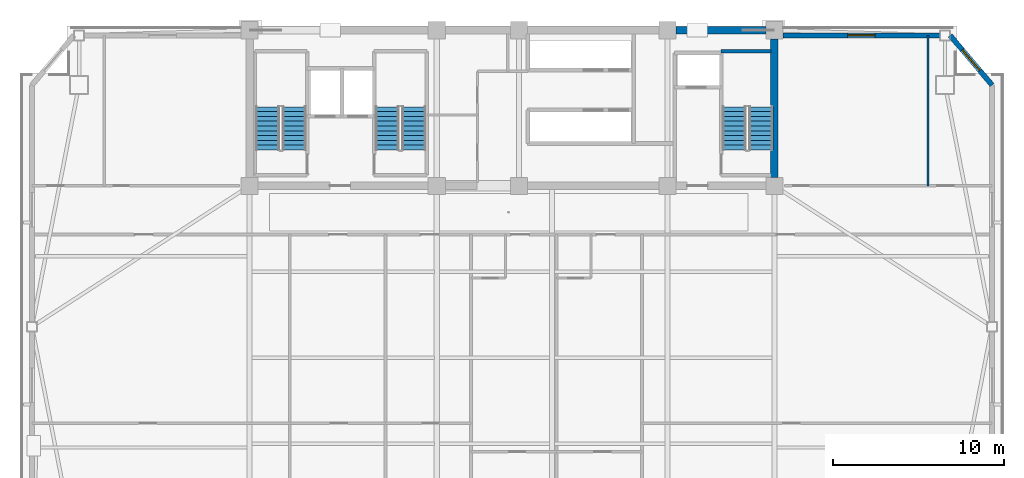
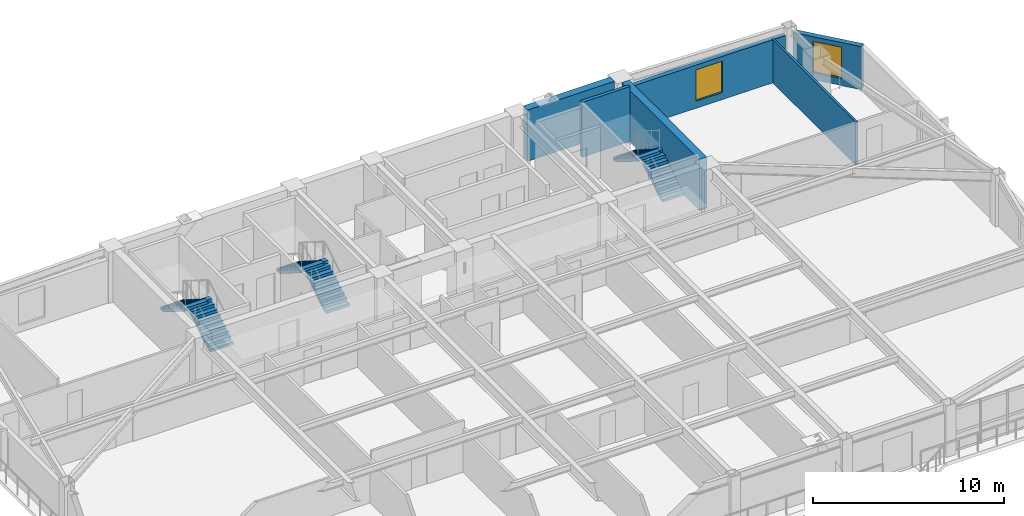
# One storey, part 11 of 17: 6 stair flights, 6 walls, 2 windows, 2 openings, 3 elements without a shape of their own.
"""IFC4 building model written with IfcOpenShell, lengths in metres."""

from ifc_helpers import new_model, si_unit, direction, frame, frame_2d, origin, place, context, subcontext, project, spatial, polyline, rectangle, outline, extrude, source, transform, mapped, material, layer, layer_set, type_object, element, fill, aggregate, save


model = new_model("IFC4")

# Units and contexts
model_context = context("Model", 3, precision=1e-05, world=origin(), true_north=direction((0.0, 1.0)))
body_context = subcontext(model_context, "Body", "Model", "MODEL_VIEW")
ifc_project = project(units=[si_unit("LENGTHUNIT", "METRE"), si_unit("AREAUNIT", "SQUARE_METRE"), si_unit("VOLUMEUNIT", "CUBIC_METRE"), si_unit("PLANEANGLEUNIT", "RADIAN"), si_unit("MASSUNIT", "GRAM", prefix="KILO")], contexts=[model_context])

# Site, building, storey
site_placement = place(None, origin())
site = spatial("IfcSite", under=ifc_project, at=site_placement, CompositionType="ELEMENT")
building_placement = place(site_placement, origin())
building = spatial("IfcBuilding", under=site, at=building_placement, Name="Giltprow Tower", CompositionType="ELEMENT")
storey_placement = place(building_placement, frame((0.0, 0.0, 213.199951171875)))
storey = spatial("IfcBuildingStorey", under=building, at=storey_placement, Name="L54", CompositionType="ELEMENT", Elevation=213.199951171875)

# Wall, opening, window
ifc_material_1 = material(Name="Precast concrete C40", Category="concrete")
ifc_layer_1 = layer(ifc_material_1, 0.300048828125, Name="Precast concrete C40")
ifc_layer_set_1 = layer_set([ifc_layer_1], Name="Precast concrete C40")
wall_type_1 = type_object("IfcWallType", Name="EW-NOTCH-CHAMFER-300", PredefinedType="SOLIDWALL", material=ifc_layer_set_1)
wall_1_placement = place(storey_placement, frame((63.281982421875, 43.345947265625, 0.0), z_axis=(0.0, 0.0, 1.0), x_axis=(-0.645455651603, 0.763797749286, 0.0)))
wall_1 = element("IfcWall", 1, at=wall_1_placement, inside=storey, type_object=wall_type_1, Name="L54 Corner Notch Wall NE", PredefinedType="SOLIDWALL", context=body_context, shape_type="SweptSolid", body=[
    extrude(rectangle(XDim=3.802001953125, YDim=0.300048828125, at=frame_2d((1.90087890625, 0.0))), origin(), (0.0, 0.0, 1.0), 2.75),
])
opening_1_placement = place(wall_1_placement, frame((1.10107421875, 0.0, 0.449951171875)))
opening_1 = element("IfcOpeningElement", 2, at=opening_1_placement, cuts=wall_1, Name="Opening WN17", PredefinedType="OPENING", context=body_context, shape_type="SweptSolid", body=[
    extrude(rectangle(XDim=1.60009765625, YDim=2.0, at=frame_2d((0.800048828125, 1.0))), frame((0.0, 0.159912109375, 0.0), z_axis=(0.0, -1.0, 0.0), x_axis=(1.0, 0.0, 0.0)), (0.0, 0.0, 1.0), 0.320068359375),
])
ifc_material_2 = material(Name="Insulated glass", Category="glass")
window_type = type_object("IfcWindowType", Name="WN-COR-1600x2000", PartitioningType="SINGLE_PANEL", PredefinedType="WINDOW", material=ifc_material_2)
shared_shape = source(origin(), body_context, "Body", "SweptSolid", [
    extrude(rectangle(XDim=1.60009765625, YDim=2.0, at=frame_2d((0.800048828125, 1.0))), frame((0.0, 0.030029296875, 0.0), z_axis=(0.0, -1.0, 0.0), x_axis=(1.0, 0.0, 0.0)), (0.0, 0.0, 1.0), 0.06005859375),
])
window_1_placement = place(opening_1_placement, origin())
window_1 = element("IfcWindow", 3, at=window_1_placement, inside=storey, type_object=window_type, Name="L54 Corner Notch Window NE", OverallHeight=2.0, OverallWidth=1.60009765625, PartitioningType="SINGLE_PANEL", PredefinedType="WINDOW", context=body_context, shape_type="MappedRepresentation", body=[
    mapped(shared_shape, transform((0.0, 0.0, 0.0), x_axis=(1.0, 0.0, 0.0), y_axis=(0.0, 1.0, 0.0), z_axis=(0.0, 0.0, 1.0), scale=1.0)),
])
fill(opening_1, window_1)

ifc_layer_2 = layer(ifc_material_1, 0.280029296875, Name="Precast concrete C40")
ifc_layer_set_2 = layer_set([ifc_layer_2], Name="Precast concrete C40")
wall_type_2 = type_object("IfcWallType", Name="EW-TOW-BRONZE-280", PredefinedType="SOLIDWALL", material=ifc_layer_set_2)
wall_2_placement = place(storey_placement, frame((51.050048828125, 46.25, 0.0), z_axis=(0.0, 0.0, 1.0), x_axis=(1.0, 0.0, 0.0)))
wall_2 = element("IfcWall", 4, at=wall_2_placement, inside=storey, type_object=wall_type_2, Name="L54 North-East Wing Wall", PredefinedType="SOLIDWALL", context=body_context, shape_type="SweptSolid", body=[
    extrude(rectangle(XDim=9.177978515625, YDim=0.280029296875, at=frame_2d((4.5888671875, 0.0))), origin(), (0.0, 0.0, 1.0), 2.75),
])
opening_2_placement = place(wall_2_placement, frame((3.7890625, 0.0, 0.449951171875)))
opening_2 = element("IfcOpeningElement", 5, at=opening_2_placement, cuts=wall_2, Name="Opening WN17", PredefinedType="OPENING", context=body_context, shape_type="SweptSolid", body=[
    extrude(rectangle(XDim=1.60009765625, YDim=2.0, at=frame_2d((0.800048828125, 1.0))), frame((0.0, 0.14990234375, 0.0), z_axis=(0.0, -1.0, 0.0), x_axis=(1.0, 0.0, 0.0)), (0.0, 0.0, 1.0), 0.300048828125),
])
window_2_placement = place(opening_2_placement, origin())
window_2 = element("IfcWindow", 6, at=window_2_placement, inside=storey, type_object=window_type, Name="L54 North-East Window", OverallHeight=2.0, OverallWidth=1.60009765625, PartitioningType="SINGLE_PANEL", PredefinedType="WINDOW", context=body_context, shape_type="MappedRepresentation", body=[
    mapped(shared_shape, transform((0.0, 0.0, 0.0), x_axis=(1.0, 0.0, 0.0), y_axis=(0.0, 1.0, 0.0), z_axis=(0.0, 0.0, 1.0), scale=1.0)),
])
fill(opening_2, window_2)

# Walls
ifc_material_3 = material(Name="Concrete C40", Category="concrete")
ifc_layer_3 = layer(ifc_material_3, 0.199951171875, Name="Concrete C40")
ifc_layer_set_3 = layer_set([ifc_layer_3], Name="Concrete C40")
wall_type_3 = type_object("IfcWallType", Name="IW-STAIR-200", PredefinedType="SOLIDWALL", material=ifc_layer_set_3)
wall_3_placement = place(storey_placement, frame((47.43994140625, 45.320068359375, 0.0), z_axis=(0.0, 0.0, 1.0), x_axis=(1.0, 0.0, 0.0)))
element("IfcWall", 7, at=wall_3_placement, inside=storey, type_object=wall_type_3, Name="L54 Stair ST-3 North Bearing Wall", PredefinedType="SOLIDWALL", context=body_context, shape_type="SweptSolid", body=[
    extrude(rectangle(XDim=2.905029296875, YDim=0.199951171875, at=frame_2d((1.45263671875, 0.0))), origin(), (0.0, 0.0, 1.0), 3.5),
])
ifc_material_4 = material(Name="Concrete C30", Category="concrete")
ifc_layer_4 = layer(ifc_material_4, 0.1298828125, Name="Concrete C30")
ifc_layer_set_4 = layer_set([ifc_layer_4], Name="Concrete C30")
wall_type_4 = type_object("IfcWallType", Name="IW-WET-130", PredefinedType="PARTITIONING", material=ifc_layer_set_4)
wall_4_placement = place(storey_placement, frame((59.531982421875, 37.449951171875, 0.0), z_axis=(0.0, 0.0, 1.0), x_axis=(0.0, 1.0, 0.0)))
element("IfcWall", 8, at=wall_4_placement, inside=storey, type_object=wall_type_4, Name="L54 NE Wing Divider", PredefinedType="PARTITIONING", context=body_context, shape_type="SweptSolid", body=[
    extrude(rectangle(XDim=8.800048828125, YDim=0.1298828125, at=frame_2d((4.39990234375, 0.0))), origin(), (0.0, 0.0, 1.0), 2.755126953125),
])
ifc_material_5 = material(Name="Concrete C50", Category="concrete")
ifc_layer_5 = layer(ifc_material_5, 0.449951171875, Name="Concrete C50")
ifc_layer_set_5 = layer_set([ifc_layer_5], Name="Concrete C50")
wall_type_5 = type_object("IfcWallType", Name="SW-EXT-450-C50", PredefinedType="SHEAR", material=ifc_layer_set_5)
wall_5_placement = place(storey_placement, frame((44.800048828125, 46.550048828125, 0.0), z_axis=(0.0, 0.0, 1.0), x_axis=(1.0, 0.0, 0.0)))
element("IfcWall", 9, at=wall_5_placement, inside=storey, type_object=wall_type_5, Name="L54 North Rear Core Shear Wall 4", PredefinedType="SHEAR", context=body_context, shape_type="SweptSolid", body=[
    extrude(rectangle(XDim=5.25, YDim=0.449951171875, at=frame_2d((2.625, 0.0))), origin(), (0.0, 0.0, 1.0), 3.27001953125),
])
ifc_layer_6 = layer(ifc_material_5, 0.449951171875, Name="Concrete C50")
ifc_layer_set_6 = layer_set([ifc_layer_6], Name="Concrete C50")
wall_type_6 = type_object("IfcWallType", Name="SW-INT-450-C50", PredefinedType="SHEAR", material=ifc_layer_set_6)
wall_6_placement = place(storey_placement, frame((50.550048828125, 37.949951171875, 0.0), z_axis=(0.0, 0.0, 1.0), x_axis=(0.0, 1.0, 0.0)))
element("IfcWall", 10, at=wall_6_placement, inside=storey, type_object=wall_type_6, Name="L54 E Rear Core Shear Wall", PredefinedType="SHEAR", context=body_context, shape_type="SweptSolid", body=[
    extrude(rectangle(XDim=8.10009765625, YDim=0.449951171875, at=frame_2d((4.050048828125, 0.0))), origin(), (0.0, 0.0, 1.0), 3.27001953125),
])

# Stair, stair flights
stair_type_1 = type_object("IfcStairType", Name="STR-ST-1", PredefinedType="HALF_TURN_STAIR", material=ifc_material_3)
stair_1_placement = place(storey_placement, origin())
stair_1 = element("IfcStair", 11, at=stair_1_placement, inside=storey, type_object=stair_type_1, Name="L54 Core Exit Stair ST-1", PredefinedType="HALF_TURN_STAIR")
stair_flight_type_1 = type_object("IfcStairFlightType", Name="SFL-ST-1", PredefinedType="STRAIGHT", material=ifc_material_3)
stair_flight_1_placement = place(storey_placement, frame((22.4599609375, 39.550048828125, 0.0), z_axis=(0.0, 0.0, 1.0), x_axis=(0.0, 1.0, 0.0)))
stair_flight_1 = element("IfcStairFlight", 12, at=stair_flight_1_placement, type_object=stair_flight_type_1, Name="ST-1 flight 1", NumberOfRisers=10, NumberOfTreads=9, PredefinedType="STRAIGHT", RiserHeight=0.175, TreadLength=0.28, context=body_context, shape_type="SweptSolid", body=[
    extrude(outline(polyline([(0.0, 0.0), (0.0, 0.175048828125), (0.280029296875, 0.175048828125), (0.280029296875, 0.35009765625), (0.56005859375, 0.35009765625), (0.56005859375, 0.52490234375), (0.840087890625, 0.52490234375), (0.840087890625, 0.699951171875), (1.1201171875, 0.699951171875), (1.1201171875, 0.875), (1.39990234375, 0.875), (1.39990234375, 1.050048828125), (1.679931640625, 1.050048828125), (1.679931640625, 1.22509765625), (1.9599609375, 1.22509765625), (1.9599609375, 1.39990234375), (2.239990234375, 1.39990234375), (2.239990234375, 1.574951171875), (2.52001953125, 1.574951171875), (2.52001953125, 1.75), (2.52001953125, 1.398193359375), (0.28271484375, 0.0), (0.0, 0.0)])), frame((0.0, 0.699951171875, 0.0), z_axis=(0.0, -1.0, 0.0), x_axis=(1.0, 0.0, 0.0)), (0.0, 0.0, 1.0), 1.39990234375),
])
stair_flight_2_placement = place(storey_placement, frame((20.89990234375, 42.070068359375, 1.75), z_axis=(0.0, 0.0, 1.0), x_axis=(0.0, -1.0, 0.0)))
stair_flight_2 = element("IfcStairFlight", 13, at=stair_flight_2_placement, type_object=stair_flight_type_1, Name="ST-1 flight 2", NumberOfRisers=10, NumberOfTreads=9, PredefinedType="STRAIGHT", RiserHeight=0.175, TreadLength=0.28, context=body_context, shape_type="SweptSolid", body=[
    extrude(outline(polyline([(0.0, 0.0), (0.0, 0.175048828125), (0.280029296875, 0.175048828125), (0.280029296875, 0.35009765625), (0.56005859375, 0.35009765625), (0.56005859375, 0.52490234375), (0.840087890625, 0.52490234375), (0.840087890625, 0.699951171875), (1.1201171875, 0.699951171875), (1.1201171875, 0.875), (1.39990234375, 0.875), (1.39990234375, 1.050048828125), (1.679931640625, 1.050048828125), (1.679931640625, 1.22509765625), (1.9599609375, 1.22509765625), (1.9599609375, 1.39990234375), (2.239990234375, 1.39990234375), (2.239990234375, 1.574951171875), (2.52001953125, 1.574951171875), (2.52001953125, 1.75), (2.52001953125, 1.398193359375), (0.28271484375, 0.0), (0.0, 0.0)])), frame((0.0, 0.699951171875, 0.0), z_axis=(0.0, -1.0, 0.0), x_axis=(1.0, 0.0, 0.0)), (0.0, 0.0, 1.0), 1.39990234375),
])
aggregate(stair_1, [stair_flight_1, stair_flight_2])

stair_type_2 = type_object("IfcStairType", Name="STR-ST-2", PredefinedType="HALF_TURN_STAIR", material=ifc_material_3)
stair_2_placement = place(storey_placement, origin())
stair_2 = element("IfcStair", 14, at=stair_2_placement, inside=storey, type_object=stair_type_2, Name="L54 Core Exit Stair ST-2", PredefinedType="HALF_TURN_STAIR")
stair_flight_type_2 = type_object("IfcStairFlightType", Name="SFL-ST-2", PredefinedType="STRAIGHT", material=ifc_material_3)
stair_flight_3_placement = place(storey_placement, frame((29.4599609375, 39.550048828125, 0.0), z_axis=(0.0, 0.0, 1.0), x_axis=(0.0, 1.0, 0.0)))
stair_flight_3 = element("IfcStairFlight", 15, at=stair_flight_3_placement, type_object=stair_flight_type_2, Name="ST-2 flight 1", NumberOfRisers=10, NumberOfTreads=9, PredefinedType="STRAIGHT", RiserHeight=0.175, TreadLength=0.28, context=body_context, shape_type="SweptSolid", body=[
    extrude(outline(polyline([(0.0, 0.0), (0.0, 0.175048828125), (0.280029296875, 0.175048828125), (0.280029296875, 0.35009765625), (0.56005859375, 0.35009765625), (0.56005859375, 0.52490234375), (0.840087890625, 0.52490234375), (0.840087890625, 0.699951171875), (1.1201171875, 0.699951171875), (1.1201171875, 0.875), (1.39990234375, 0.875), (1.39990234375, 1.050048828125), (1.679931640625, 1.050048828125), (1.679931640625, 1.22509765625), (1.9599609375, 1.22509765625), (1.9599609375, 1.39990234375), (2.239990234375, 1.39990234375), (2.239990234375, 1.574951171875), (2.52001953125, 1.574951171875), (2.52001953125, 1.75), (2.52001953125, 1.398193359375), (0.28271484375, 0.0), (0.0, 0.0)])), frame((0.0, 0.699951171875, 0.0), z_axis=(0.0, -1.0, 0.0), x_axis=(1.0, 0.0, 0.0)), (0.0, 0.0, 1.0), 1.39990234375),
])
stair_flight_4_placement = place(storey_placement, frame((27.89990234375, 42.070068359375, 1.75), z_axis=(0.0, 0.0, 1.0), x_axis=(0.0, -1.0, 0.0)))
stair_flight_4 = element("IfcStairFlight", 16, at=stair_flight_4_placement, type_object=stair_flight_type_2, Name="ST-2 flight 2", NumberOfRisers=10, NumberOfTreads=9, PredefinedType="STRAIGHT", RiserHeight=0.175, TreadLength=0.28, context=body_context, shape_type="SweptSolid", body=[
    extrude(outline(polyline([(0.0, 0.0), (0.0, 0.175048828125), (0.280029296875, 0.175048828125), (0.280029296875, 0.35009765625), (0.56005859375, 0.35009765625), (0.56005859375, 0.52490234375), (0.840087890625, 0.52490234375), (0.840087890625, 0.699951171875), (1.1201171875, 0.699951171875), (1.1201171875, 0.875), (1.39990234375, 0.875), (1.39990234375, 1.050048828125), (1.679931640625, 1.050048828125), (1.679931640625, 1.22509765625), (1.9599609375, 1.22509765625), (1.9599609375, 1.39990234375), (2.239990234375, 1.39990234375), (2.239990234375, 1.574951171875), (2.52001953125, 1.574951171875), (2.52001953125, 1.75), (2.52001953125, 1.398193359375), (0.28271484375, 0.0), (0.0, 0.0)])), frame((0.0, 0.699951171875, 0.0), z_axis=(0.0, -1.0, 0.0), x_axis=(1.0, 0.0, 0.0)), (0.0, 0.0, 1.0), 1.39990234375),
])
aggregate(stair_2, [stair_flight_3, stair_flight_4])

stair_type_3 = type_object("IfcStairType", Name="STR-ST-3", PredefinedType="HALF_TURN_STAIR", material=ifc_material_3)
stair_3_placement = place(storey_placement, origin())
stair_3 = element("IfcStair", 17, at=stair_3_placement, inside=storey, type_object=stair_type_3, Name="L54 Core Exit Stair ST-3", PredefinedType="HALF_TURN_STAIR")
stair_flight_type_3 = type_object("IfcStairFlightType", Name="SFL-ST-3", PredefinedType="STRAIGHT", material=ifc_material_3)
stair_flight_5_placement = place(storey_placement, frame((49.760009765625, 39.550048828125, 0.0), z_axis=(0.0, 0.0, 1.0), x_axis=(0.0, 1.0, 0.0)))
stair_flight_5 = element("IfcStairFlight", 18, at=stair_flight_5_placement, type_object=stair_flight_type_3, Name="ST-3 flight 1", NumberOfRisers=10, NumberOfTreads=9, PredefinedType="STRAIGHT", RiserHeight=0.175, TreadLength=0.28, context=body_context, shape_type="SweptSolid", body=[
    extrude(outline(polyline([(0.0, 0.0), (0.0, 0.175048828125), (0.280029296875, 0.175048828125), (0.280029296875, 0.35009765625), (0.56005859375, 0.35009765625), (0.56005859375, 0.52490234375), (0.840087890625, 0.52490234375), (0.840087890625, 0.699951171875), (1.1201171875, 0.699951171875), (1.1201171875, 0.875), (1.39990234375, 0.875), (1.39990234375, 1.050048828125), (1.679931640625, 1.050048828125), (1.679931640625, 1.22509765625), (1.9599609375, 1.22509765625), (1.9599609375, 1.39990234375), (2.239990234375, 1.39990234375), (2.239990234375, 1.574951171875), (2.52001953125, 1.574951171875), (2.52001953125, 1.75), (2.52001953125, 1.398193359375), (0.28271484375, 0.0), (0.0, 0.0)])), frame((0.0, 0.699951171875, 0.0), z_axis=(0.0, -1.0, 0.0), x_axis=(1.0, 0.0, 0.0)), (0.0, 0.0, 1.0), 1.39990234375),
])
stair_flight_6_placement = place(storey_placement, frame((48.199951171875, 42.070068359375, 1.75), z_axis=(0.0, 0.0, 1.0), x_axis=(0.0, -1.0, 0.0)))
stair_flight_6 = element("IfcStairFlight", 19, at=stair_flight_6_placement, type_object=stair_flight_type_3, Name="ST-3 flight 2", NumberOfRisers=10, NumberOfTreads=9, PredefinedType="STRAIGHT", RiserHeight=0.175, TreadLength=0.28, context=body_context, shape_type="SweptSolid", body=[
    extrude(outline(polyline([(0.0, 0.0), (0.0, 0.175048828125), (0.280029296875, 0.175048828125), (0.280029296875, 0.35009765625), (0.56005859375, 0.35009765625), (0.56005859375, 0.52490234375), (0.840087890625, 0.52490234375), (0.840087890625, 0.699951171875), (1.1201171875, 0.699951171875), (1.1201171875, 0.875), (1.39990234375, 0.875), (1.39990234375, 1.050048828125), (1.679931640625, 1.050048828125), (1.679931640625, 1.22509765625), (1.9599609375, 1.22509765625), (1.9599609375, 1.39990234375), (2.239990234375, 1.39990234375), (2.239990234375, 1.574951171875), (2.52001953125, 1.574951171875), (2.52001953125, 1.75), (2.52001953125, 1.398193359375), (0.28271484375, 0.0), (0.0, 0.0)])), frame((0.0, 0.699951171875, 0.0), z_axis=(0.0, -1.0, 0.0), x_axis=(1.0, 0.0, 0.0)), (0.0, 0.0, 1.0), 1.39990234375),
])
aggregate(stair_3, [stair_flight_5, stair_flight_6])

save(model, "model.ifc")
